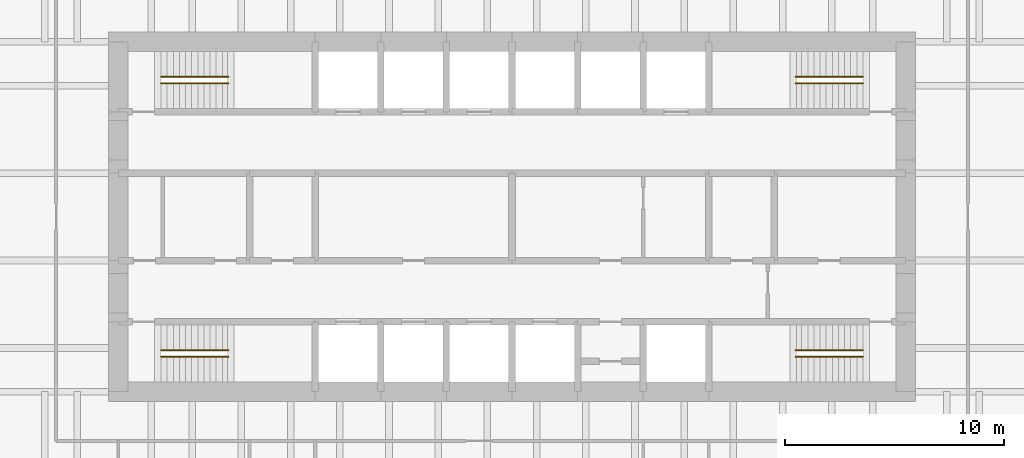
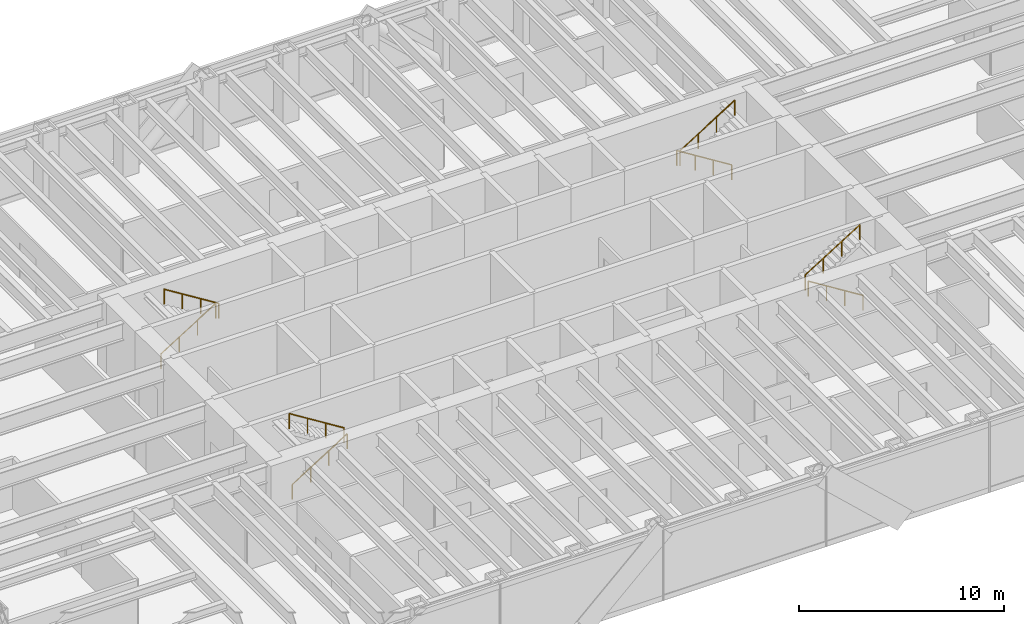
# One storey, part 15 of 15: 8 railings.
"""IFC4 building model written with IfcOpenShell, lengths in metres."""

from ifc_helpers import new_model, si_unit, direction, frame, origin, origin_2d, place, context, subcontext, project, spatial, circle, extrude, material, type_object, element, save


model = new_model("IFC4")

# Units and contexts
model_context = context("Model", 3, precision=1e-05, world=origin(), true_north=direction((0.0, 1.0)))
body_context = subcontext(model_context, "Body", "Model", "MODEL_VIEW")
ifc_project = project(units=[si_unit("LENGTHUNIT", "METRE"), si_unit("AREAUNIT", "SQUARE_METRE"), si_unit("VOLUMEUNIT", "CUBIC_METRE"), si_unit("PLANEANGLEUNIT", "RADIAN"), si_unit("MASSUNIT", "GRAM", prefix="KILO")], contexts=[model_context])

# Site, building, storey
site_placement = place(None, origin())
site = spatial("IfcSite", under=ifc_project, at=site_placement, CompositionType="ELEMENT")
building_placement = place(site_placement, origin())
building = spatial("IfcBuilding", under=site, at=building_placement, Name="Rheinbord Bourse Tower", CompositionType="ELEMENT")
storey_placement = place(building_placement, frame((0.0, 0.0, 146.699951171875)))
storey = spatial("IfcBuildingStorey", under=building, at=storey_placement, Name="L32", CompositionType="ELEMENT", Elevation=146.699951171875)

# Railings
ifc_material = material(Name="Steel handrail", Category="steel")
railing_type = type_object("IfcRailingType", Name="HANDRAIL 900", PredefinedType="HANDRAIL", material=ifc_material)
railing_1_placement = place(storey_placement, frame((19.949951171875, 17.60009765625, 0.175048828125)))
element("IfcRailing", 1, at=railing_1_placement, inside=storey, type_object=railing_type, Name="Handrail", PredefinedType="HANDRAIL", context=body_context, shape_type="SweptSolid", body=[
    extrude(circle(Radius=0.02392578125, at=origin_2d()), frame((0.0, 0.0, 0.8759765625), z_axis=(0.847998304005, 0.0, 0.529998940003), x_axis=(0.0, 1.0, 0.0)), (0.0, 0.0, 1.0), 3.632080078125),
    extrude(circle(Radius=0.02099609375, at=origin_2d()), origin(), (0.0, 0.0, 1.0), 0.851806640625),
    extrude(circle(Radius=0.02099609375, at=origin_2d()), frame((1.026611328125, 0.0, 0.6416015625)), (0.0, 0.0, 1.0), 0.851806640625),
    extrude(circle(Radius=0.02099609375, at=origin_2d()), frame((2.053466796875, 0.0, 1.283447265625)), (0.0, 0.0, 1.0), 0.851806640625),
    extrude(circle(Radius=0.02099609375, at=origin_2d()), frame((3.080078125, 0.0, 1.925048828125)), (0.0, 0.0, 1.0), 0.851806640625),
])
railing_2_placement = place(storey_placement, frame((23.030029296875, 17.89990234375, 2.275146484375)))
element("IfcRailing", 2, at=railing_2_placement, inside=storey, type_object=railing_type, Name="Handrail", PredefinedType="HANDRAIL", context=body_context, shape_type="SweptSolid", body=[
    extrude(circle(Radius=0.02392578125, at=origin_2d()), frame((0.0, 0.0, 0.8759765625), z_axis=(-0.848028513186, 0.0, 0.529950602248), x_axis=(0.0, -1.0, 0.0)), (0.0, 0.0, 1.0), 3.632080078125),
    extrude(circle(Radius=0.02099609375, at=origin_2d()), origin(), (0.0, 0.0, 1.0), 0.851806640625),
    extrude(circle(Radius=0.02099609375, at=origin_2d()), frame((-1.026611328125, 0.0, 0.6416015625)), (0.0, 0.0, 1.0), 0.851806640625),
    extrude(circle(Radius=0.02099609375, at=origin_2d()), frame((-2.053466796875, 0.0, 1.283203125)), (0.0, 0.0, 1.0), 0.851806640625),
    extrude(circle(Radius=0.02099609375, at=origin_2d()), frame((-3.080078125, 0.0, 1.9248046875)), (0.0, 0.0, 1.0), 0.851806640625),
])
railing_3_placement = place(storey_placement, frame((19.949951171875, 30.39990234375, 0.175048828125)))
element("IfcRailing", 3, at=railing_3_placement, inside=storey, type_object=railing_type, Name="Handrail", PredefinedType="HANDRAIL", context=body_context, shape_type="SweptSolid", body=[
    extrude(circle(Radius=0.02392578125, at=origin_2d()), frame((0.0, 0.0, 0.8759765625), z_axis=(0.847998304005, 0.0, 0.529998940003), x_axis=(0.0, 1.0, 0.0)), (0.0, 0.0, 1.0), 3.632080078125),
    extrude(circle(Radius=0.02099609375, at=origin_2d()), origin(), (0.0, 0.0, 1.0), 0.851806640625),
    extrude(circle(Radius=0.02099609375, at=origin_2d()), frame((1.026611328125, 0.0, 0.6416015625)), (0.0, 0.0, 1.0), 0.851806640625),
    extrude(circle(Radius=0.02099609375, at=origin_2d()), frame((2.053466796875, 0.0, 1.283447265625)), (0.0, 0.0, 1.0), 0.851806640625),
    extrude(circle(Radius=0.02099609375, at=origin_2d()), frame((3.080078125, 0.0, 1.925048828125)), (0.0, 0.0, 1.0), 0.851806640625),
])
railing_4_placement = place(storey_placement, frame((23.030029296875, 30.10009765625, 2.275146484375)))
element("IfcRailing", 4, at=railing_4_placement, inside=storey, type_object=railing_type, Name="Handrail", PredefinedType="HANDRAIL", context=body_context, shape_type="SweptSolid", body=[
    extrude(circle(Radius=0.02392578125, at=origin_2d()), frame((0.0, 0.0, 0.8759765625), z_axis=(-0.848028513186, 0.0, 0.529950602248), x_axis=(0.0, -1.0, 0.0)), (0.0, 0.0, 1.0), 3.632080078125),
    extrude(circle(Radius=0.02099609375, at=origin_2d()), origin(), (0.0, 0.0, 1.0), 0.851806640625),
    extrude(circle(Radius=0.02099609375, at=origin_2d()), frame((-1.026611328125, 0.0, 0.6416015625)), (0.0, 0.0, 1.0), 0.851806640625),
    extrude(circle(Radius=0.02099609375, at=origin_2d()), frame((-2.053466796875, 0.0, 1.283203125)), (0.0, 0.0, 1.0), 0.851806640625),
    extrude(circle(Radius=0.02099609375, at=origin_2d()), frame((-3.080078125, 0.0, 1.9248046875)), (0.0, 0.0, 1.0), 0.851806640625),
])
railing_5_placement = place(storey_placement, frame((52.050048828125, 17.60009765625, 0.175048828125)))
element("IfcRailing", 5, at=railing_5_placement, inside=storey, type_object=railing_type, Name="Handrail", PredefinedType="HANDRAIL", context=body_context, shape_type="SweptSolid", body=[
    extrude(circle(Radius=0.02392578125, at=origin_2d()), frame((0.0, 0.0, 0.8759765625), z_axis=(-0.847998304005, 0.0, 0.529998940003), x_axis=(0.0, -1.0, 0.0)), (0.0, 0.0, 1.0), 3.632080078125),
    extrude(circle(Radius=0.02099609375, at=origin_2d()), origin(), (0.0, 0.0, 1.0), 0.851806640625),
    extrude(circle(Radius=0.02099609375, at=origin_2d()), frame((-1.026611328125, 0.0, 0.6416015625)), (0.0, 0.0, 1.0), 0.851806640625),
    extrude(circle(Radius=0.02099609375, at=origin_2d()), frame((-2.053466796875, 0.0, 1.283447265625)), (0.0, 0.0, 1.0), 0.851806640625),
    extrude(circle(Radius=0.02099609375, at=origin_2d()), frame((-3.080078125, 0.0, 1.925048828125)), (0.0, 0.0, 1.0), 0.851806640625),
])
railing_6_placement = place(storey_placement, frame((48.969970703125, 17.89990234375, 2.275146484375)))
element("IfcRailing", 6, at=railing_6_placement, inside=storey, type_object=railing_type, Name="Handrail", PredefinedType="HANDRAIL", context=body_context, shape_type="SweptSolid", body=[
    extrude(circle(Radius=0.02392578125, at=origin_2d()), frame((0.0, 0.0, 0.8759765625), z_axis=(0.848028513186, 0.0, 0.529950602248), x_axis=(0.0, 1.0, 0.0)), (0.0, 0.0, 1.0), 3.632080078125),
    extrude(circle(Radius=0.02099609375, at=origin_2d()), origin(), (0.0, 0.0, 1.0), 0.851806640625),
    extrude(circle(Radius=0.02099609375, at=origin_2d()), frame((1.026611328125, 0.0, 0.6416015625)), (0.0, 0.0, 1.0), 0.851806640625),
    extrude(circle(Radius=0.02099609375, at=origin_2d()), frame((2.053466796875, 0.0, 1.283203125)), (0.0, 0.0, 1.0), 0.851806640625),
    extrude(circle(Radius=0.02099609375, at=origin_2d()), frame((3.080078125, 0.0, 1.9248046875)), (0.0, 0.0, 1.0), 0.851806640625),
])
railing_7_placement = place(storey_placement, frame((52.050048828125, 30.39990234375, 0.175048828125)))
element("IfcRailing", 7, at=railing_7_placement, inside=storey, type_object=railing_type, Name="Handrail", PredefinedType="HANDRAIL", context=body_context, shape_type="SweptSolid", body=[
    extrude(circle(Radius=0.02392578125, at=origin_2d()), frame((0.0, 0.0, 0.8759765625), z_axis=(-0.847998304005, 0.0, 0.529998940003), x_axis=(0.0, -1.0, 0.0)), (0.0, 0.0, 1.0), 3.632080078125),
    extrude(circle(Radius=0.02099609375, at=origin_2d()), origin(), (0.0, 0.0, 1.0), 0.851806640625),
    extrude(circle(Radius=0.02099609375, at=origin_2d()), frame((-1.026611328125, 0.0, 0.6416015625)), (0.0, 0.0, 1.0), 0.851806640625),
    extrude(circle(Radius=0.02099609375, at=origin_2d()), frame((-2.053466796875, 0.0, 1.283447265625)), (0.0, 0.0, 1.0), 0.851806640625),
    extrude(circle(Radius=0.02099609375, at=origin_2d()), frame((-3.080078125, 0.0, 1.925048828125)), (0.0, 0.0, 1.0), 0.851806640625),
])
railing_8_placement = place(storey_placement, frame((48.969970703125, 30.10009765625, 2.275146484375)))
element("IfcRailing", 8, at=railing_8_placement, inside=storey, type_object=railing_type, Name="Handrail", PredefinedType="HANDRAIL", context=body_context, shape_type="SweptSolid", body=[
    extrude(circle(Radius=0.02392578125, at=origin_2d()), frame((0.0, 0.0, 0.8759765625), z_axis=(0.848028513186, 0.0, 0.529950602248), x_axis=(0.0, 1.0, 0.0)), (0.0, 0.0, 1.0), 3.632080078125),
    extrude(circle(Radius=0.02099609375, at=origin_2d()), origin(), (0.0, 0.0, 1.0), 0.851806640625),
    extrude(circle(Radius=0.02099609375, at=origin_2d()), frame((1.026611328125, 0.0, 0.6416015625)), (0.0, 0.0, 1.0), 0.851806640625),
    extrude(circle(Radius=0.02099609375, at=origin_2d()), frame((2.053466796875, 0.0, 1.283203125)), (0.0, 0.0, 1.0), 0.851806640625),
    extrude(circle(Radius=0.02099609375, at=origin_2d()), frame((3.080078125, 0.0, 1.9248046875)), (0.0, 0.0, 1.0), 0.851806640625),
])

save(model, "model.ifc")
